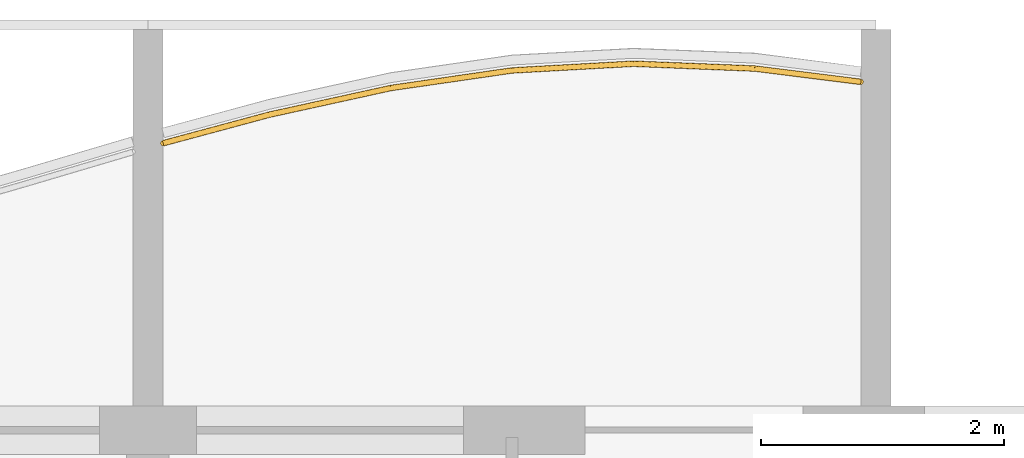
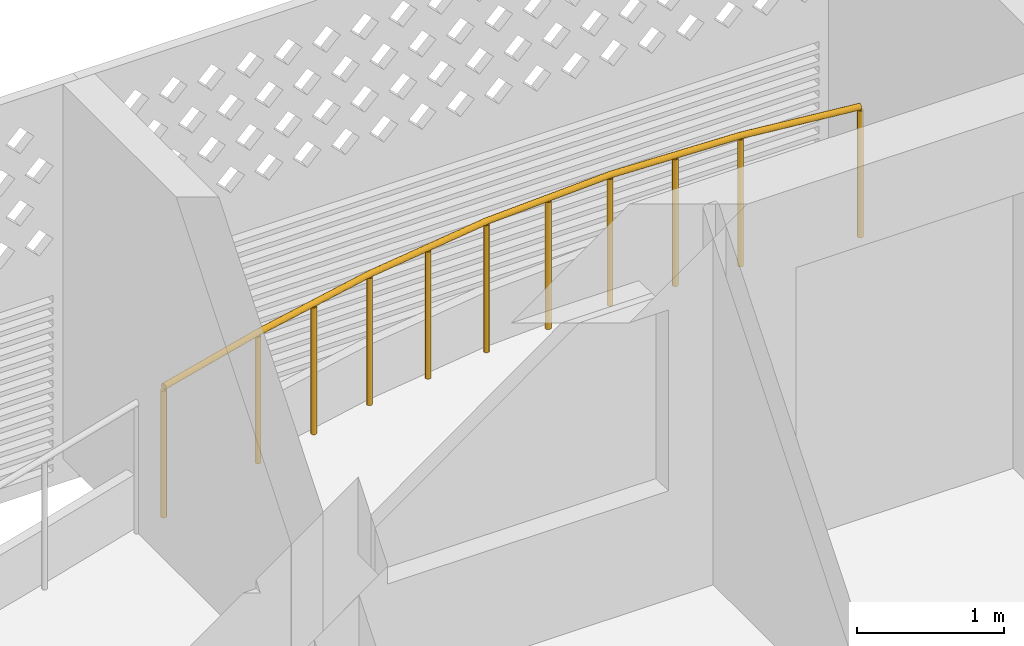
# One storey, part 19 of 24: 1 railing.
"""IFC4 building model written with IfcOpenShell, lengths in metres."""

from ifc_helpers import new_model, si_unit, direction, frame, origin, origin_2d, place, context, subcontext, project, spatial, circle, extrude, material, type_object, element, save


model = new_model("IFC4")

# Units and contexts
model_context = context("Model", 3, precision=1e-05, world=origin(), true_north=direction((0.0, 1.0)))
body_context = subcontext(model_context, "Body", "Model", "MODEL_VIEW")
ifc_project = project(units=[si_unit("LENGTHUNIT", "METRE"), si_unit("AREAUNIT", "SQUARE_METRE"), si_unit("VOLUMEUNIT", "CUBIC_METRE"), si_unit("PLANEANGLEUNIT", "RADIAN"), si_unit("MASSUNIT", "GRAM", prefix="KILO")], contexts=[model_context])

# Site, building, storey
site_placement = place(None, origin())
site = spatial("IfcSite", under=ifc_project, at=site_placement, CompositionType="ELEMENT")
building_placement = place(site_placement, origin())
building = spatial("IfcBuilding", under=site, at=building_placement, Name="Poui Terraces", CompositionType="ELEMENT")
storey_placement = place(building_placement, frame((0.0, 0.0, 109.199951171875)))
storey = spatial("IfcBuildingStorey", under=building, at=storey_placement, Name="L30", CompositionType="ELEMENT", Elevation=109.199951171875)

# Railing
ifc_material = material(Name="Painted steel fretwork", Category="steel")
railing_type = type_object("IfcRailingType", Name="BALCONY GUARD 1100", PredefinedType="GUARDRAIL", material=ifc_material)
railing_placement = place(storey_placement, frame((36.125, 45.96435546875, 0.0)))
element("IfcRailing", 1, at=railing_placement, inside=storey, type_object=railing_type, Name="BALCONY GUARD", PredefinedType="GUARDRAIL", context=body_context, shape_type="SweptSolid", body=[
    extrude(circle(Radius=0.02392578125, at=origin_2d()), frame((0.0, 0.0, 1.076171875), z_axis=(0.965678166761, 0.259741560479, 0.0), x_axis=(-0.259741560479, 0.965678166761, 0.0)), (0.0, 0.0, 1.0), 0.906005859375),
    extrude(circle(Radius=0.02392578125, at=origin_2d()), frame((0.875, 0.2353515625, 1.076171875), z_axis=(0.97675043296, 0.214379550593, 0.0), x_axis=(-0.214379550593, 0.97675043296, 0.0)), (0.0, 0.0, 1.0), 1.023681640625),
    extrude(circle(Radius=0.02392578125, at=origin_2d()), frame((1.875, 0.454833984375, 1.076171875), z_axis=(0.989647671833, 0.143518241472, 0.0), x_axis=(-0.143518241472, 0.989647671833, 0.0)), (0.0, 0.0, 1.0), 1.010498046875),
    extrude(circle(Radius=0.02392578125, at=origin_2d()), frame((2.875, 0.599853515625, 1.076171875), z_axis=(0.998467844587, 0.055335009942, 0.0), x_axis=(-0.055335009942, 0.998467844587, 0.0)), (0.0, 0.0, 1.0), 1.00146484375),
    extrude(circle(Radius=0.02392578125, at=origin_2d()), frame((3.875, 0.6552734375, 1.076171875), z_axis=(0.99920912132, -0.03976344892, 0.0), x_axis=(0.03976344892, 0.99920912132, 0.0)), (0.0, 0.0, 1.0), 1.000732421875),
    extrude(circle(Radius=0.02392578125, at=origin_2d()), frame((4.875, 0.615478515625, 1.076171875), z_axis=(0.992243764966, -0.12430732435, 0.0), x_axis=(0.12430732435, 0.992243764966, 0.0)), (0.0, 0.0, 1.0), 0.8818359375),
    extrude(circle(Radius=0.02099609375, at=origin_2d()), origin(), (0.0, 0.0, 1.0), 1.052001953125),
    extrude(circle(Radius=0.02099609375, at=origin_2d()), frame((0.875, 0.2353515625, 0.0)), (0.0, 0.0, 1.0), 1.052001953125),
    extrude(circle(Radius=0.02099609375, at=origin_2d()), frame((1.375, 0.34521484375, 0.0)), (0.0, 0.0, 1.0), 1.052001953125),
    extrude(circle(Radius=0.02099609375, at=origin_2d()), frame((1.875, 0.454833984375, 0.0)), (0.0, 0.0, 1.0), 1.052001953125),
    extrude(circle(Radius=0.02099609375, at=origin_2d()), frame((2.375, 0.52734375, 0.0)), (0.0, 0.0, 1.0), 1.052001953125),
    extrude(circle(Radius=0.02099609375, at=origin_2d()), frame((2.875, 0.599853515625, 0.0)), (0.0, 0.0, 1.0), 1.052001953125),
    extrude(circle(Radius=0.02099609375, at=origin_2d()), frame((3.375, 0.62744140625, 0.0)), (0.0, 0.0, 1.0), 1.052001953125),
    extrude(circle(Radius=0.02099609375, at=origin_2d()), frame((3.875, 0.6552734375, 0.0)), (0.0, 0.0, 1.0), 1.052001953125),
    extrude(circle(Radius=0.02099609375, at=origin_2d()), frame((4.375, 0.63525390625, 0.0)), (0.0, 0.0, 1.0), 1.052001953125),
    extrude(circle(Radius=0.02099609375, at=origin_2d()), frame((4.875, 0.615478515625, 0.0)), (0.0, 0.0, 1.0), 1.052001953125),
    extrude(circle(Radius=0.02099609375, at=origin_2d()), frame((5.75, 0.505859375, 0.0)), (0.0, 0.0, 1.0), 1.052001953125),
])

save(model, "model.ifc")
